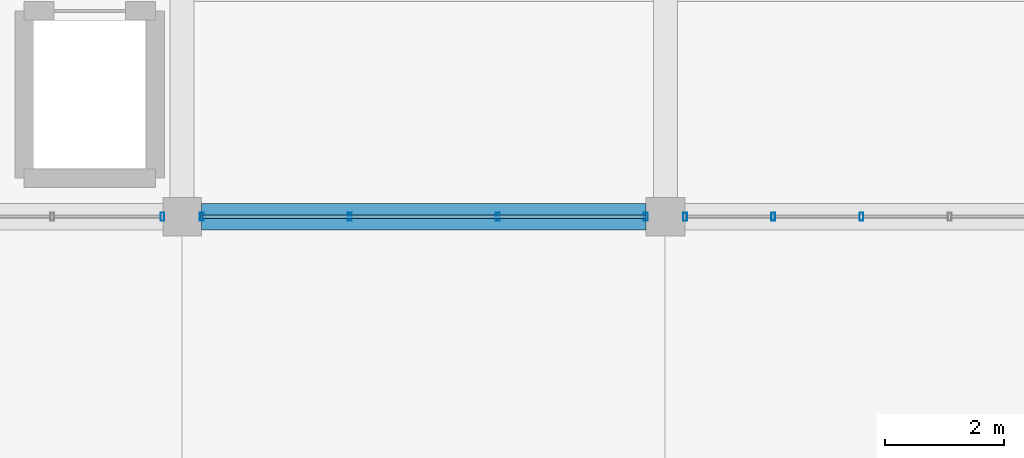
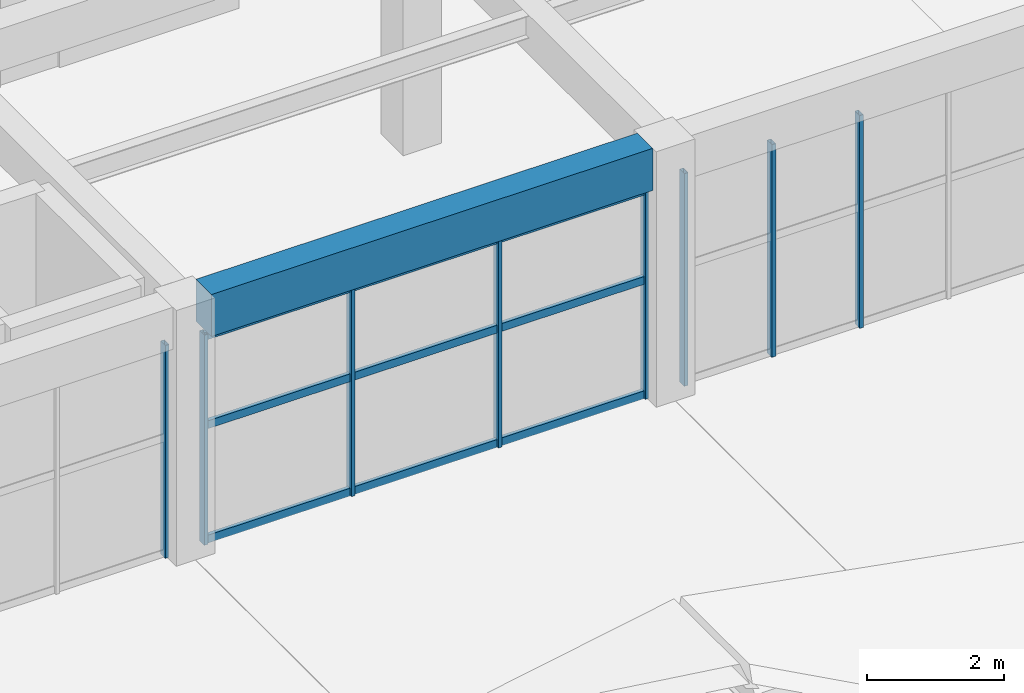
# One storey, part 37 of 161: 11 members, 1 beam, 3 elements without a shape of their own.
"""IFC4 building model written with IfcOpenShell, lengths in metres."""

from ifc_helpers import new_model, si_unit, direction, frame, origin, origin_2d, place, context, subcontext, project, spatial, rectangle, hollow_rectangle, extrude, material, material_profile, profile_set, type_object, element, aggregate, save


model = new_model("IFC4")

# Units and contexts
model_context = context("Model", 3, precision=1e-05, world=origin(), true_north=direction((0.0, 1.0)))
body_context = subcontext(model_context, "Body", "Model", "MODEL_VIEW")
ifc_project = project(units=[si_unit("LENGTHUNIT", "METRE"), si_unit("AREAUNIT", "SQUARE_METRE"), si_unit("VOLUMEUNIT", "CUBIC_METRE"), si_unit("PLANEANGLEUNIT", "RADIAN"), si_unit("MASSUNIT", "GRAM", prefix="KILO")], contexts=[model_context])

# Site, building, storey
site_placement = place(None, origin())
site = spatial("IfcSite", under=ifc_project, at=site_placement, CompositionType="ELEMENT")
building_placement = place(site_placement, origin())
building = spatial("IfcBuilding", under=site, at=building_placement, Name="Cimatlan Art Gallery", CompositionType="ELEMENT")
storey_placement = place(building_placement, frame((0.0, 0.0, 5.39990234375)))
storey = spatial("IfcBuildingStorey", under=building, at=storey_placement, Name="L01", CompositionType="ELEMENT", Elevation=5.39990234375)

# Beam
ifc_material_1 = material(Name="Concrete C40/50", Category="concrete")
ifc_material_profile_1 = material_profile(ifc_material_1, rectangle(XDim=0.449951171875, YDim=0.75, at=origin_2d()), Name="RC450X750")
ifc_profile_set_1 = profile_set([ifc_material_profile_1], Name="Concrete C40/50")
beam_type = type_object("IfcBeamType", Name="BM-RC-450X750", PredefinedType="BEAM", material=ifc_profile_set_1)
beam_placement = place(storey_placement, frame((83.324951171875, 23.89990234375, 4.18505859375), z_axis=(1.0, 0.0, 0.0), x_axis=(0.0, 1.0, 0.0)))
element("IfcBeam", 1, at=beam_placement, inside=storey, type_object=beam_type, Name="BM-X-L01-10-03", PredefinedType="BEAM", context=body_context, shape_type="SweptSolid", body=[
    extrude(rectangle(XDim=0.449951171875, YDim=0.75, at=origin_2d()), origin(), (0.0, 0.0, 1.0), 7.449951171875),
])

# Curtain wall, member
ifc_material_2 = material(Name="Anodised bronze unitised curtain wall")
curtain_wall_type_1 = type_object("IfcCurtainWallType", Name="CW-V-07392X03795-B4", PredefinedType="NOTDEFINED", material=ifc_material_2)
curtain_wall_1_placement = place(storey_placement, origin())
curtain_wall_1 = element("IfcCurtainWall", 2, at=curtain_wall_1_placement, inside=storey, type_object=curtain_wall_type_1, Name="CW-L01-09-03-S", PredefinedType="NOTDEFINED")
ifc_material_3 = material(Name="Anodised bronze aluminium 6063-T6", Category="aluminium")
ifc_material_profile_2 = material_profile(ifc_material_3, hollow_rectangle(XDim=0.06494140625, YDim=0.139892578125, WallThickness=0.00390625, at=origin_2d()), Name="ALU65X140X4")
ifc_profile_set_2 = profile_set([ifc_material_profile_2], Name="Anodised bronze aluminium 6063-T6")
member_type_1 = type_object("IfcMemberType", Name="CW-MUL-140", PredefinedType="MULLION", material=ifc_profile_set_2)
member_1_placement = place(storey_placement, frame((82.6708984375, 23.89990234375, 0.0), z_axis=(0.0, 0.0, 1.0), x_axis=(1.0, 0.0, 0.0)))
member_1 = element("IfcMember", 3, at=member_1_placement, type_object=member_type_1, Name="CW-L01-09-03-S-M1", PredefinedType="MULLION", context=body_context, shape_type="SweptSolid", body=[
    extrude(hollow_rectangle(XDim=0.06494140625, YDim=0.139892578125, WallThickness=0.00390625, at=origin_2d()), origin(), (0.0, 0.0, 1.0), 3.795166015625),
])
aggregate(curtain_wall_1, [member_1])

# Curtain wall, members
curtain_wall_type_2 = type_object("IfcCurtainWallType", Name="CW-V-07442X03750-B3", PredefinedType="NOTDEFINED", material=ifc_material_2)
curtain_wall_2_placement = place(storey_placement, origin())
curtain_wall_2 = element("IfcCurtainWall", 4, at=curtain_wall_2_placement, inside=storey, type_object=curtain_wall_type_2, Name="CW-L01-10-03-S", PredefinedType="NOTDEFINED")
member_2_placement = place(storey_placement, frame((90.77099609375, 23.89990234375, 0.0), z_axis=(0.0, 0.0, 1.0), x_axis=(1.0, 0.0, 0.0)))
member_2 = element("IfcMember", 5, at=member_2_placement, type_object=member_type_1, Name="CW-L01-10-03-S-M1", PredefinedType="MULLION", context=body_context, shape_type="SweptSolid", body=[
    extrude(hollow_rectangle(XDim=0.06494140625, YDim=0.139892578125, WallThickness=0.00390625, at=origin_2d()), origin(), (0.0, 0.0, 1.0), 3.75),
])
member_3_placement = place(storey_placement, frame((88.290283203125, 23.89990234375, 0.0), z_axis=(0.0, 0.0, 1.0), x_axis=(1.0, 0.0, 0.0)))
member_3 = element("IfcMember", 6, at=member_3_placement, type_object=member_type_1, Name="CW-L01-10-03-S-M2", PredefinedType="MULLION", context=body_context, shape_type="SweptSolid", body=[
    extrude(hollow_rectangle(XDim=0.06494140625, YDim=0.139892578125, WallThickness=0.00390625, at=origin_2d()), origin(), (0.0, 0.0, 1.0), 3.75),
])
member_4_placement = place(storey_placement, frame((85.8095703125, 23.89990234375, 0.0), z_axis=(0.0, 0.0, 1.0), x_axis=(1.0, 0.0, 0.0)))
member_4 = element("IfcMember", 7, at=member_4_placement, type_object=member_type_1, Name="CW-L01-10-03-S-M3", PredefinedType="MULLION", context=body_context, shape_type="SweptSolid", body=[
    extrude(hollow_rectangle(XDim=0.06494140625, YDim=0.139892578125, WallThickness=0.00390625, at=origin_2d()), origin(), (0.0, 0.0, 1.0), 3.75),
])
member_5_placement = place(storey_placement, frame((83.3291015625, 23.89990234375, 0.0), z_axis=(0.0, 0.0, 1.0), x_axis=(1.0, 0.0, 0.0)))
member_5 = element("IfcMember", 8, at=member_5_placement, type_object=member_type_1, Name="CW-L01-10-03-S-M4", PredefinedType="MULLION", context=body_context, shape_type="SweptSolid", body=[
    extrude(hollow_rectangle(XDim=0.06494140625, YDim=0.139892578125, WallThickness=0.00390625, at=origin_2d()), origin(), (0.0, 0.0, 1.0), 3.75),
])

curtain_wall_type_3 = type_object("IfcCurtainWallType", Name="CW-V-07392X03795-B5", PredefinedType="NOTDEFINED", material=ifc_material_2)
curtain_wall_3_placement = place(storey_placement, origin())
curtain_wall_3 = element("IfcCurtainWall", 9, at=curtain_wall_3_placement, inside=storey, type_object=curtain_wall_type_3, Name="CW-L01-11-03-S", PredefinedType="NOTDEFINED")
member_6_placement = place(storey_placement, frame((94.3857421875, 23.89990234375, 0.0), z_axis=(0.0, 0.0, 1.0), x_axis=(1.0, 0.0, 0.0)))
member_6 = element("IfcMember", 10, at=member_6_placement, type_object=member_type_1, Name="CW-L01-11-03-S-M4", PredefinedType="MULLION", context=body_context, shape_type="SweptSolid", body=[
    extrude(hollow_rectangle(XDim=0.06494140625, YDim=0.139892578125, WallThickness=0.00390625, at=origin_2d()), origin(), (0.0, 0.0, 1.0), 3.795166015625),
])
member_7_placement = place(storey_placement, frame((92.907470703125, 23.89990234375, 0.0), z_axis=(0.0, 0.0, 1.0), x_axis=(1.0, 0.0, 0.0)))
member_7 = element("IfcMember", 11, at=member_7_placement, type_object=member_type_1, Name="CW-L01-11-03-S-M5", PredefinedType="MULLION", context=body_context, shape_type="SweptSolid", body=[
    extrude(hollow_rectangle(XDim=0.06494140625, YDim=0.139892578125, WallThickness=0.00390625, at=origin_2d()), origin(), (0.0, 0.0, 1.0), 3.795166015625),
])
member_8_placement = place(storey_placement, frame((91.428955078125, 23.89990234375, 0.0), z_axis=(0.0, 0.0, 1.0), x_axis=(1.0, 0.0, 0.0)))
member_8 = element("IfcMember", 12, at=member_8_placement, type_object=member_type_1, Name="CW-L01-11-03-S-M6", PredefinedType="MULLION", context=body_context, shape_type="SweptSolid", body=[
    extrude(hollow_rectangle(XDim=0.06494140625, YDim=0.139892578125, WallThickness=0.00390625, at=origin_2d()), origin(), (0.0, 0.0, 1.0), 3.795166015625),
])
aggregate(curtain_wall_3, [member_6, member_7, member_8])

# Member
ifc_material_profile_3 = material_profile(ifc_material_3, hollow_rectangle(XDim=0.06494140625, YDim=0.139892578125, WallThickness=0.00390625, at=origin_2d()), Name="ALU65X140X4")
ifc_profile_set_3 = profile_set([ifc_material_profile_3], Name="Anodised bronze aluminium 6063-T6")
member_type_2 = type_object("IfcMemberType", Name="CW-TRN-140", PredefinedType="USERDEFINED", material=ifc_profile_set_3)
member_9_placement = place(storey_placement, frame((90.77099609375, 23.89990234375, 0.06005859375), z_axis=(-1.0, 0.0, 0.0), x_axis=(0.0, -1.0, 0.0)))
member_9 = element("IfcMember", 13, at=member_9_placement, type_object=member_type_2, Name="CW-L01-10-03-S-T1", ObjectType="TRANSOM", PredefinedType="USERDEFINED", context=body_context, shape_type="SweptSolid", body=[
    extrude(hollow_rectangle(XDim=0.06494140625, YDim=0.139892578125, WallThickness=0.00390625, at=origin_2d()), origin(), (0.0, 0.0, 1.0), 7.44189453125),
])

member_10_placement = place(storey_placement, frame((90.77099609375, 23.89990234375, 2.10009765625), z_axis=(-1.0, 0.0, 0.0), x_axis=(0.0, -1.0, 0.0)))
member_10 = element("IfcMember", 14, at=member_10_placement, type_object=member_type_2, Name="CW-L01-10-03-S-T2", ObjectType="TRANSOM", PredefinedType="USERDEFINED", context=body_context, shape_type="SweptSolid", body=[
    extrude(hollow_rectangle(XDim=0.06494140625, YDim=0.139892578125, WallThickness=0.00390625, at=origin_2d()), origin(), (0.0, 0.0, 1.0), 7.44189453125),
])

member_11_placement = place(storey_placement, frame((90.77099609375, 23.89990234375, 3.690185546875), z_axis=(-1.0, 0.0, 0.0), x_axis=(0.0, -1.0, 0.0)))
member_11 = element("IfcMember", 15, at=member_11_placement, type_object=member_type_2, Name="CW-L01-10-03-S-T3", ObjectType="TRANSOM", PredefinedType="USERDEFINED", context=body_context, shape_type="SweptSolid", body=[
    extrude(hollow_rectangle(XDim=0.06494140625, YDim=0.139892578125, WallThickness=0.00390625, at=origin_2d()), origin(), (0.0, 0.0, 1.0), 7.44189453125),
])

aggregate(curtain_wall_2, [member_2, member_3, member_4, member_5, member_9, member_10, member_11])

save(model, "model.ifc")
